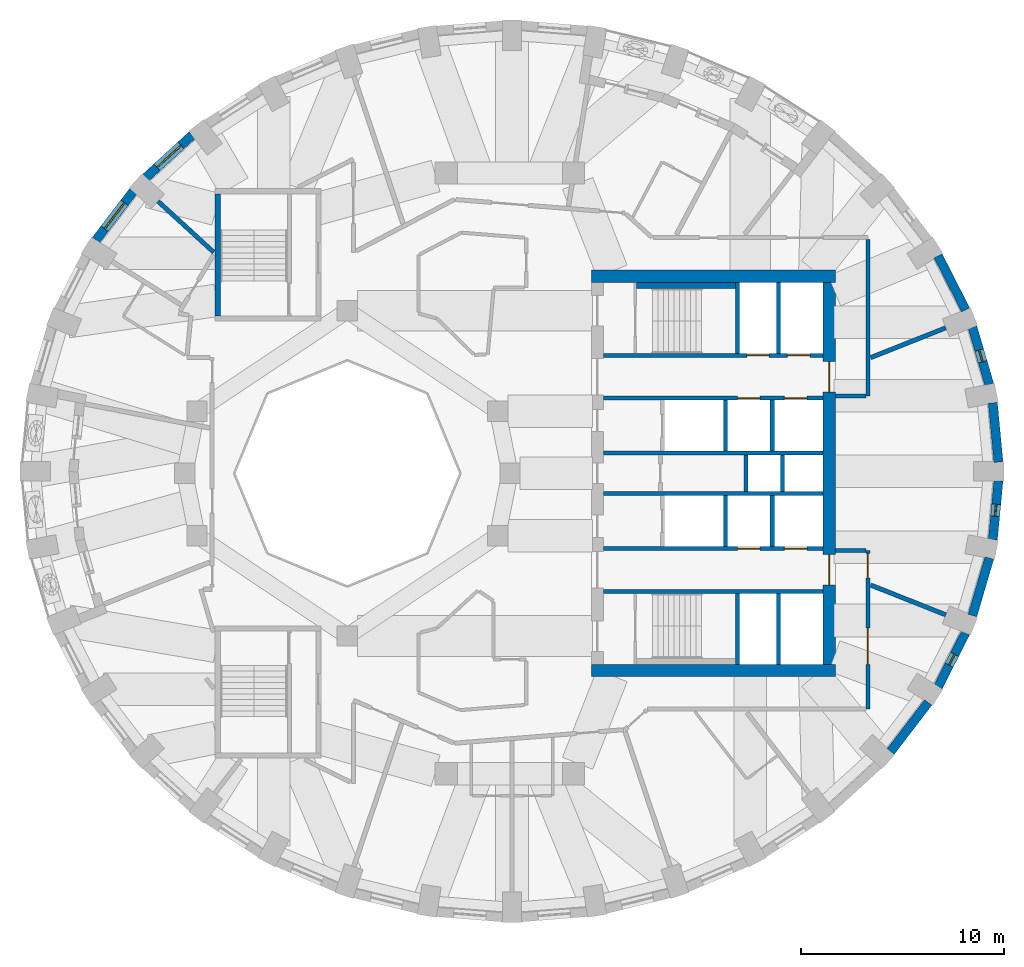
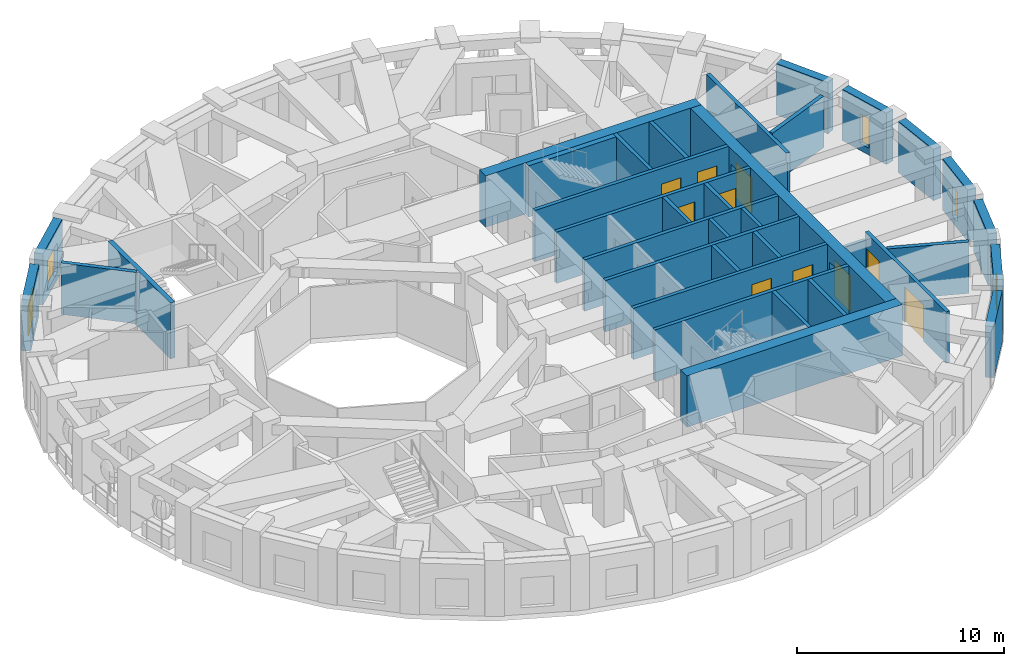
# One storey, part 6 of 12: 37 walls, 10 doors, 5 windows, 15 openings.
"""IFC4 building model written with IfcOpenShell, lengths in metres."""

from ifc_helpers import new_model, si_unit, direction, frame, frame_2d, origin, place, context, subcontext, project, spatial, rectangle, extrude, material, layer, layer_set, type_object, element, fill, save


model = new_model("IFC4")

# Units and contexts
model_context = context("Model", 3, precision=1e-05, world=origin(), true_north=direction((0.0, 1.0)))
body_context = subcontext(model_context, "Body", "Model", "MODEL_VIEW")
ifc_project = project(units=[si_unit("LENGTHUNIT", "METRE"), si_unit("AREAUNIT", "SQUARE_METRE"), si_unit("VOLUMEUNIT", "CUBIC_METRE"), si_unit("PLANEANGLEUNIT", "RADIAN"), si_unit("MASSUNIT", "GRAM", prefix="KILO")], contexts=[model_context])

# Site, building, storey
site_placement = place(None, origin())
site = spatial("IfcSite", under=ifc_project, at=site_placement, CompositionType="ELEMENT")
building_placement = place(site_placement, origin())
building = spatial("IfcBuilding", under=site, at=building_placement, Name="Taillehof Tower", CompositionType="ELEMENT")
storey_placement = place(building_placement, frame((0.0, 0.0, 148.39990234375)))
storey = spatial("IfcBuildingStorey", under=building, at=storey_placement, Name="L41", CompositionType="ELEMENT", Elevation=148.39990234375)

# Wall
ifc_material_1 = material(Name="Brick masonry", Category="masonry")
ifc_layer_1 = layer(ifc_material_1, 0.449951171875)
ifc_layer_set_1 = layer_set([ifc_layer_1], Name="Brick infill wall 450")
wall_type_1 = type_object("IfcWallType", Name="Brick infill wall 450", PredefinedType="SOLIDWALL", material=ifc_layer_set_1)
wall_1_placement = place(storey_placement, frame((24.030517578125, 0.55517578125, 0.0), z_axis=(0.0, 0.0, 1.0), x_axis=(-0.095265737322, 0.995451876935, 0.0)))
element("IfcWall", 1, at=wall_1_placement, inside=storey, type_object=wall_type_1, Name="Brick wall L41 bay 1", PredefinedType="SOLIDWALL", context=body_context, shape_type="SweptSolid", body=[
    extrude(rectangle(XDim=2.9267578125, YDim=0.449951171875, at=frame_2d((1.46337890625, 0.0))), origin(), (0.0, 0.0, 1.0), 3.02001953125),
])

# Wall, opening, window
wall_2_placement = place(storey_placement, frame((23.579833984375, 4.3623046875, 0.0), z_axis=(0.0, 0.0, 1.0), x_axis=(-0.281049481624, 0.959693278542, 0.0)))
wall_2 = element("IfcWall", 2, at=wall_2_placement, inside=storey, type_object=wall_type_1, Name="Brick wall L41 bay 2", PredefinedType="SOLIDWALL", context=body_context, shape_type="SweptSolid", body=[
    extrude(rectangle(XDim=2.947509765625, YDim=0.449951171875, at=frame_2d((1.4736328125, 0.0))), origin(), (0.0, 0.0, 1.0), 3.02001953125),
])
opening_1_placement = place(wall_2_placement, frame((1.173583984375, 0.0, 0.39990234375)))
opening_1 = element("IfcOpeningElement", 3, at=opening_1_placement, cuts=wall_2, Name="Opening W6", PredefinedType="OPENING", context=body_context, shape_type="SweptSolid", body=[
    extrude(rectangle(XDim=0.60009765625, YDim=1.75, at=frame_2d((0.300048828125, 0.875))), frame((0.0, 0.23486328125, 0.0), z_axis=(0.0, -1.0, 0.0), x_axis=(1.0, 0.0, 0.0)), (0.0, 0.0, 1.0), 0.469970703125),
])
ifc_material_2 = material(Name="Aluminium window frame with clear double glazing", Category="aluminium")
window_type_1 = type_object("IfcWindowType", Name="Slot window 600x1750", PartitioningType="SINGLE_PANEL", PredefinedType="WINDOW", material=ifc_material_2)
window_1_placement = place(opening_1_placement, origin())
window_1 = element("IfcWindow", 4, at=window_1_placement, inside=storey, type_object=window_type_1, Name="W6", OverallHeight=1.75, OverallWidth=0.60009765625, PartitioningType="SINGLE_PANEL", PredefinedType="WINDOW", context=body_context, shape_type="SweptSolid", body=[
    extrude(rectangle(XDim=0.60009765625, YDim=1.75, at=frame_2d((0.300048828125, 0.875))), frame((0.0, 0.034912109375, 0.0), z_axis=(0.0, -1.0, 0.0), x_axis=(1.0, 0.0, 0.0)), (0.0, 0.0, 1.0), 0.06005859375),
])
fill(opening_1, window_1)

# Wall
wall_3_placement = place(storey_placement, frame((22.415283203125, 8.036865234375, 0.0), z_axis=(0.0, 0.0, 1.0), x_axis=(-0.454133999889, 0.890933392653, 0.0)))
element("IfcWall", 5, at=wall_3_placement, inside=storey, type_object=wall_type_1, Name="Brick wall L41 bay 3", PredefinedType="SOLIDWALL", context=body_context, shape_type="SweptSolid", body=[
    extrude(rectangle(XDim=2.98583984375, YDim=0.449951171875, at=frame_2d((1.492919921875, 0.0))), origin(), (0.0, 0.0, 1.0), 3.02001953125),
])

# Wall, opening, window
wall_4_placement = place(storey_placement, frame((-15.630126953125, 16.638671875, 0.0), z_axis=(0.0, 0.0, 1.0), x_axis=(-0.737808755941, -0.675009807082, 0.0)))
wall_4 = element("IfcWall", 6, at=wall_4_placement, inside=storey, type_object=wall_type_1, Name="Brick wall L41 bay 14", PredefinedType="SOLIDWALL", context=body_context, shape_type="SweptSolid", body=[
    extrude(rectangle(XDim=3.094482421875, YDim=0.449951171875, at=frame_2d((1.54736328125, 0.0))), origin(), (0.0, 0.0, 1.0), 3.02001953125),
])
opening_2_placement = place(wall_4_placement, frame((0.747314453125, 0.0, 0.39990234375)))
opening_2 = element("IfcOpeningElement", 7, at=opening_2_placement, cuts=wall_4, Name="Opening W3", PredefinedType="OPENING", context=body_context, shape_type="SweptSolid", body=[
    extrude(rectangle(XDim=1.60009765625, YDim=1.75, at=frame_2d((0.800048828125, 0.875))), frame((0.0, 0.23486328125, 0.0), z_axis=(0.0, -1.0, 0.0), x_axis=(1.0, 0.0, 0.0)), (0.0, 0.0, 1.0), 0.469970703125),
])
ifc_material_3 = material(Name="Aluminium window frame with clear double glazing", Category="aluminium")
window_type_2 = type_object("IfcWindowType", Name="Deep-set window 1600x1750", PartitioningType="SINGLE_PANEL", PredefinedType="WINDOW", material=ifc_material_3)
window_2_placement = place(opening_2_placement, origin())
window_2 = element("IfcWindow", 8, at=window_2_placement, inside=storey, type_object=window_type_2, Name="W3", OverallHeight=1.75, OverallWidth=1.60009765625, PartitioningType="SINGLE_PANEL", PredefinedType="WINDOW", context=body_context, shape_type="SweptSolid", body=[
    extrude(rectangle(XDim=1.60009765625, YDim=1.75, at=frame_2d((0.800048828125, 0.875))), frame((0.0, 0.034912109375, 0.0), z_axis=(0.0, -1.0, 0.0), x_axis=(1.0, 0.0, 0.0)), (0.0, 0.0, 1.0), 0.06005859375),
])
fill(opening_2, window_2)

wall_5_placement = place(storey_placement, frame((-18.528076171875, 13.878662109375, 0.0), z_axis=(0.0, 0.0, 1.0), x_axis=(-0.607817056371, -0.794077090706, 0.0)))
wall_5 = element("IfcWall", 9, at=wall_5_placement, inside=storey, type_object=wall_type_1, Name="Brick wall L41 bay 15", PredefinedType="SOLIDWALL", context=body_context, shape_type="SweptSolid", body=[
    extrude(rectangle(XDim=3.037109375, YDim=0.449951171875, at=frame_2d((1.5185546875, 0.0))), origin(), (0.0, 0.0, 1.0), 3.02001953125),
])
opening_3_placement = place(wall_5_placement, frame((0.718505859375, 0.0, 0.39990234375)))
opening_3 = element("IfcOpeningElement", 10, at=opening_3_placement, cuts=wall_5, Name="Opening W3", PredefinedType="OPENING", context=body_context, shape_type="SweptSolid", body=[
    extrude(rectangle(XDim=1.60009765625, YDim=1.75, at=frame_2d((0.800048828125, 0.875))), frame((0.0, 0.23486328125, 0.0), z_axis=(0.0, -1.0, 0.0), x_axis=(1.0, 0.0, 0.0)), (0.0, 0.0, 1.0), 0.469970703125),
])
window_3_placement = place(opening_3_placement, origin())
window_3 = element("IfcWindow", 11, at=window_3_placement, inside=storey, type_object=window_type_2, Name="W3", OverallHeight=1.75, OverallWidth=1.60009765625, PartitioningType="SINGLE_PANEL", PredefinedType="WINDOW", context=body_context, shape_type="SweptSolid", body=[
    extrude(rectangle(XDim=1.60009765625, YDim=1.75, at=frame_2d((0.800048828125, 0.875))), frame((0.0, 0.034912109375, 0.0), z_axis=(0.0, -1.0, 0.0), x_axis=(1.0, 0.0, 0.0)), (0.0, 0.0, 1.0), 0.06005859375),
])
fill(opening_3, window_3)

# Wall
wall_6_placement = place(storey_placement, frame((18.72802734375, -13.6787109375, 0.0), z_axis=(0.0, 0.0, 1.0), x_axis=(0.607817056371, 0.794077090706, 0.0)))
element("IfcWall", 12, at=wall_6_placement, inside=storey, type_object=wall_type_1, Name="Brick wall L41 bay 33", PredefinedType="SOLIDWALL", context=body_context, shape_type="SweptSolid", body=[
    extrude(rectangle(XDim=3.037109375, YDim=0.449951171875, at=frame_2d((1.5185546875, 0.0))), origin(), (0.0, 0.0, 1.0), 3.02001953125),
])

# Wall, opening, window
wall_7_placement = place(storey_placement, frame((21.059326171875, -10.4970703125, 0.0), z_axis=(0.0, 0.0, 1.0), x_axis=(0.454133999889, 0.890933392653, 0.0)))
wall_7 = element("IfcWall", 13, at=wall_7_placement, inside=storey, type_object=wall_type_1, Name="Brick wall L41 bay 34", PredefinedType="SOLIDWALL", context=body_context, shape_type="SweptSolid", body=[
    extrude(rectangle(XDim=2.98583984375, YDim=0.449951171875, at=frame_2d((1.492919921875, 0.0))), origin(), (0.0, 0.0, 1.0), 3.02001953125),
])
opening_4_placement = place(wall_7_placement, frame((1.19287109375, 0.0, 0.39990234375)))
opening_4 = element("IfcOpeningElement", 14, at=opening_4_placement, cuts=wall_7, Name="Opening W6", PredefinedType="OPENING", context=body_context, shape_type="SweptSolid", body=[
    extrude(rectangle(XDim=0.60009765625, YDim=1.75, at=frame_2d((0.300048828125, 0.875))), frame((0.0, 0.23486328125, 0.0), z_axis=(0.0, -1.0, 0.0), x_axis=(1.0, 0.0, 0.0)), (0.0, 0.0, 1.0), 0.469970703125),
])
window_4_placement = place(opening_4_placement, origin())
window_4 = element("IfcWindow", 15, at=window_4_placement, inside=storey, type_object=window_type_1, Name="W6", OverallHeight=1.75, OverallWidth=0.60009765625, PartitioningType="SINGLE_PANEL", PredefinedType="WINDOW", context=body_context, shape_type="SweptSolid", body=[
    extrude(rectangle(XDim=0.60009765625, YDim=1.75, at=frame_2d((0.300048828125, 0.875))), frame((0.0, 0.034912109375, 0.0), z_axis=(0.0, -1.0, 0.0), x_axis=(1.0, 0.0, 0.0)), (0.0, 0.0, 1.0), 0.06005859375),
])
fill(opening_4, window_4)

# Wall
wall_8_placement = place(storey_placement, frame((22.75146484375, -6.990966796875, 0.0), z_axis=(0.0, 0.0, 1.0), x_axis=(0.281049481624, 0.959693278542, 0.0)))
element("IfcWall", 16, at=wall_8_placement, inside=storey, type_object=wall_type_1, Name="Brick wall L41 bay 35", PredefinedType="SOLIDWALL", context=body_context, shape_type="SweptSolid", body=[
    extrude(rectangle(XDim=2.947509765625, YDim=0.449951171875, at=frame_2d((1.4736328125, 0.0))), origin(), (0.0, 0.0, 1.0), 3.02001953125),
])

# Wall, opening, window
wall_9_placement = place(storey_placement, frame((23.751708984375, -3.2685546875, 0.0), z_axis=(0.0, 0.0, 1.0), x_axis=(0.095257827044, 0.995452633924, 0.0)))
wall_9 = element("IfcWall", 17, at=wall_9_placement, inside=storey, type_object=wall_type_1, Name="Brick wall L41 bay 36", PredefinedType="SOLIDWALL", context=body_context, shape_type="SweptSolid", body=[
    extrude(rectangle(XDim=2.927001953125, YDim=0.449951171875, at=frame_2d((1.46337890625, 0.0))), origin(), (0.0, 0.0, 1.0), 3.02001953125),
])
opening_5_placement = place(wall_9_placement, frame((1.163330078125, 0.0, 0.39990234375)))
opening_5 = element("IfcOpeningElement", 18, at=opening_5_placement, cuts=wall_9, Name="Opening W6", PredefinedType="OPENING", context=body_context, shape_type="SweptSolid", body=[
    extrude(rectangle(XDim=0.60009765625, YDim=1.75, at=frame_2d((0.300048828125, 0.875))), frame((0.0, 0.23486328125, 0.0), z_axis=(0.0, -1.0, 0.0), x_axis=(1.0, 0.0, 0.0)), (0.0, 0.0, 1.0), 0.469970703125),
])
window_5_placement = place(opening_5_placement, origin())
window_5 = element("IfcWindow", 19, at=window_5_placement, inside=storey, type_object=window_type_1, Name="W6", OverallHeight=1.75, OverallWidth=0.60009765625, PartitioningType="SINGLE_PANEL", PredefinedType="WINDOW", context=body_context, shape_type="SweptSolid", body=[
    extrude(rectangle(XDim=0.60009765625, YDim=1.75, at=frame_2d((0.300048828125, 0.875))), frame((0.0, 0.034912109375, 0.0), z_axis=(0.0, -1.0, 0.0), x_axis=(1.0, 0.0, 0.0)), (0.0, 0.0, 1.0), 0.06005859375),
])
fill(opening_5, window_5)

# Walls
ifc_material_4 = material(Name="Calcium silicate masonry", Category="masonry")
ifc_layer_2 = layer(ifc_material_4, 0.199951171875)
ifc_layer_set_2 = layer_set([ifc_layer_2], Name="Compartment wall calcium silicate 200")
wall_type_2 = type_object("IfcWallType", Name="Compartment wall calcium silicate 200", PredefinedType="PARTITIONING", material=ifc_layer_set_2)
for number, where, z_axis, x_axis, name in (
    (20, (11.60009765625, -0.89990234375, 0.0), (0.0, 0.0, 1.0), (0.0, 1.0, 0.0), "Compartment wall FW"),
    (21, (13.39990234375, -0.89990234375, 0.0), (0.0, 0.0, 1.0), (0.0, 1.0, 0.0), "Compartment wall FW"),
):
    element("IfcWall", number, at=place(storey_placement, frame(where, z_axis=z_axis, x_axis=x_axis)), inside=storey, type_object=wall_type_2, Name=name, PredefinedType="PARTITIONING", context=body_context, shape_type="SweptSolid", body=[
        extrude(rectangle(XDim=1.7998046875, YDim=0.199951171875, at=frame_2d((0.89990234375, 0.0))), origin(), (0.0, 0.0, 1.0), 3.02001953125),
    ])

# Wall, openings, doors
ifc_material_5 = material(Name="Gypsum board on steel studs, two layers each side", Category="steel")
ifc_layer_3 = layer(ifc_material_5, 0.199951171875)
ifc_layer_set_3 = layer_set([ifc_layer_3], Name="Compartment wall corridor 200")
wall_type_3 = type_object("IfcWallType", Name="Compartment wall corridor 200", PredefinedType="PARTITIONING", material=ifc_layer_set_3)
wall_10_placement = place(storey_placement, frame((17.60009765625, -3.800048828125, 0.0), z_axis=(0.0, 0.0, 1.0), x_axis=(0.0, -1.0, 0.0)))
wall_10 = element("IfcWall", 22, at=wall_10_placement, inside=storey, type_object=wall_type_3, Name="Compartment wall", PredefinedType="PARTITIONING", context=body_context, shape_type="SweptSolid", body=[
    extrude(rectangle(XDim=7.800048828125, YDim=0.199951171875, at=frame_2d((3.89990234375, 0.0))), origin(), (0.0, 0.0, 1.0), 3.02001953125),
])
opening_6_placement = place(wall_10_placement, frame((3.81298828125, 0.0, 0.0)))
opening_6 = element("IfcOpeningElement", 23, at=opening_6_placement, cuts=wall_10, Name="Opening D4157", PredefinedType="OPENING", context=body_context, shape_type="SweptSolid", body=[
    extrude(rectangle(XDim=1.800048828125, YDim=2.10009765625, at=frame_2d((0.89990234375, 1.050048828125))), frame((0.0, 0.10986328125, 0.0), z_axis=(0.0, -1.0, 0.0), x_axis=(1.0, 0.0, 0.0)), (0.0, 0.0, 1.0), 0.219970703125),
])
opening_7_placement = place(wall_10_placement, frame((0.139892578125, 0.0, 0.0)))
opening_7 = element("IfcOpeningElement", 24, at=opening_7_placement, cuts=wall_10, Name="Opening D4158", PredefinedType="OPENING", context=body_context, shape_type="SweptSolid", body=[
    extrude(rectangle(XDim=1.199951171875, YDim=2.10009765625, at=frame_2d((0.60009765625, 1.050048828125))), frame((0.0, 0.10986328125, 0.0), z_axis=(0.0, -1.0, 0.0), x_axis=(1.0, 0.0, 0.0)), (0.0, 0.0, 1.0), 0.219970703125),
])
ifc_material_6 = material(Name="Timber door leaf in steel frame", Category="steel")
door_type_1 = type_object("IfcDoorType", Name="Lounge and meeting room double door EI 30 1800 x 2100", OperationType="SINGLE_SWING_LEFT", PredefinedType="DOOR", material=ifc_material_6)
door_1_placement = place(opening_6_placement, origin())
door_1 = element("IfcDoor", 25, at=door_1_placement, inside=storey, type_object=door_type_1, Name="D4157", OperationType="DOUBLE_DOOR_SINGLE_SWING", OverallHeight=2.10009765625, OverallWidth=1.800048828125, PredefinedType="DOOR", context=body_context, shape_type="SweptSolid", body=[
    extrude(rectangle(XDim=1.800048828125, YDim=2.10009765625, at=frame_2d((0.89990234375, 1.050048828125))), frame((0.0, 0.02490234375, 0.0), z_axis=(0.0, -1.0, 0.0), x_axis=(1.0, 0.0, 0.0)), (0.0, 0.0, 1.0), 0.050048828125),
])
fill(opening_6, door_1)
ifc_material_7 = material(Name="Timber door leaf in steel frame", Category="steel")
door_type_2 = type_object("IfcDoorType", Name="Suite entrance door EI 30 1200 x 2100", OperationType="SINGLE_SWING_LEFT", PredefinedType="DOOR", material=ifc_material_7)
door_2_placement = place(opening_7_placement, origin())
door_2 = element("IfcDoor", 26, at=door_2_placement, inside=storey, type_object=door_type_2, Name="D4158", OperationType="SINGLE_SWING_RIGHT", OverallHeight=2.10009765625, OverallWidth=1.199951171875, PredefinedType="DOOR", context=body_context, shape_type="SweptSolid", body=[
    extrude(rectangle(XDim=1.199951171875, YDim=2.10009765625, at=frame_2d((0.60009765625, 1.050048828125))), frame((0.0, 0.02490234375, 0.0), z_axis=(0.0, -1.0, 0.0), x_axis=(1.0, 0.0, 0.0)), (0.0, 0.0, 1.0), 0.050048828125),
])
fill(opening_7, door_2)

# Walls
wall_11_placement = place(storey_placement, frame((17.60009765625, 11.5, 0.0), z_axis=(0.0, 0.0, 1.0), x_axis=(0.0, -1.0, 0.0)))
element("IfcWall", 27, at=wall_11_placement, inside=storey, type_object=wall_type_3, Name="Compartment wall", PredefinedType="PARTITIONING", context=body_context, shape_type="SweptSolid", body=[
    extrude(rectangle(XDim=7.699951171875, YDim=0.199951171875, at=frame_2d((3.85009765625, 0.0))), origin(), (0.0, 0.0, 1.0), 3.02001953125),
])
for number, where, z_axis, x_axis, name in (
    (28, (17.5, 3.800048828125, 0.0), (0.0, 0.0, 1.0), (-1.0, 0.0, 0.0), "Compartment wall"),
    (29, (16.00390625, -3.800048828125, 0.0), (0.0, 0.0, 1.0), (1.0, 0.0, 0.0), "Compartment wall"),
):
    element("IfcWall", number, at=place(storey_placement, frame(where, z_axis=z_axis, x_axis=x_axis)), inside=storey, type_object=wall_type_3, Name=name, PredefinedType="PARTITIONING", context=body_context, shape_type="SweptSolid", body=[
        extrude(rectangle(XDim=1.49609375, YDim=0.199951171875, at=frame_2d((0.748046875, 0.0))), origin(), (0.0, 0.0, 1.0), 2.570068359375),
    ])
ifc_material_8 = material(Name="Gypsum board on double steel studs with mineral wool", Category="steel")
ifc_layer_4 = layer(ifc_material_8, 0.219970703125)
ifc_layer_set_4 = layer_set([ifc_layer_4], Name="Compartment wall guest room 220")
wall_type_4 = type_object("IfcWallType", Name="Compartment wall guest room 220", PredefinedType="PARTITIONING", material=ifc_layer_set_4)
wall_12_placement = place(storey_placement, frame((21.438720703125, 7.15966796875, 0.0), z_axis=(0.0, 0.0, 1.0), x_axis=(-0.929517399972, -0.368778257426, 0.0)))
element("IfcWall", 30, at=wall_12_placement, inside=storey, type_object=wall_type_4, Name="Compartment wall", PredefinedType="PARTITIONING", context=body_context, shape_type="SweptSolid", body=[
    extrude(rectangle(XDim=3.982177734375, YDim=0.219970703125, at=frame_2d((1.9912109375, 0.0))), origin(), (0.0, 0.0, 1.0), 3.02001953125),
])
wall_13_placement = place(storey_placement, frame((-17.310302734375, 13.381591796875, 0.0), z_axis=(0.0, 0.0, 1.0), x_axis=(0.737860436015, -0.674953314655, 0.0)))
element("IfcWall", 31, at=wall_13_placement, inside=storey, type_object=wall_type_4, Name="Compartment wall", PredefinedType="PARTITIONING", context=body_context, shape_type="SweptSolid", body=[
    extrude(rectangle(XDim=3.714111328125, YDim=0.219970703125, at=frame_2d((1.85693359375, 0.0))), origin(), (0.0, 0.0, 1.0), 3.02001953125),
])
wall_14_placement = place(storey_placement, frame((21.438720703125, -6.959716796875, 0.0), z_axis=(0.0, 0.0, 1.0), x_axis=(-0.929517399972, 0.368778257426, 0.0)))
element("IfcWall", 32, at=wall_14_placement, inside=storey, type_object=wall_type_4, Name="Compartment wall", PredefinedType="PARTITIONING", context=body_context, shape_type="SweptSolid", body=[
    extrude(rectangle(XDim=3.982177734375, YDim=0.219970703125, at=frame_2d((1.9912109375, 0.0))), origin(), (0.0, 0.0, 1.0), 3.02001953125),
])
ifc_material_9 = material(Name="Calcium silicate masonry", Category="masonry")
ifc_layer_5 = layer(ifc_material_9, 0.300048828125)
ifc_layer_set_5 = layer_set([ifc_layer_5], Name="Compartment wall lining calcium silicate 300")
wall_type_5 = type_object("IfcWallType", Name="Compartment wall lining calcium silicate 300", PredefinedType="PARTITIONING", material=ifc_layer_set_5)
wall_15_placement = place(storey_placement, frame((6.219970703125, 9.25, 0.0), z_axis=(0.0, 0.0, 1.0), x_axis=(1.0, 0.0, 0.0)))
element("IfcWall", 33, at=wall_15_placement, inside=storey, type_object=wall_type_5, Name="Compartment wall FW", PredefinedType="PARTITIONING", context=body_context, shape_type="SweptSolid", body=[
    extrude(rectangle(XDim=4.880126953125, YDim=0.300048828125, at=frame_2d((2.43994140625, 0.0))), origin(), (0.0, 0.0, 1.0), 3.02001953125),
])

# Wall, openings, doors
ifc_material_10 = material(Name="Concrete C80/95", Category="concrete")
ifc_layer_6 = layer(ifc_material_10, 0.60009765625)
ifc_layer_set_6 = layer_set([ifc_layer_6], Name="Core wall C80/95 600")
wall_type_6 = type_object("IfcWallType", Name="Core wall C80/95 600", PredefinedType="SHEAR", material=ifc_layer_set_6)
wall_16_placement = place(storey_placement, frame((15.699951171875, -9.39990234375, 0.0), z_axis=(0.0, 0.0, 1.0), x_axis=(0.0, 1.0, 0.0)))
wall_16 = element("IfcWall", 34, at=wall_16_placement, inside=storey, type_object=wall_type_6, Name="Core wall CW05", PredefinedType="SHEAR", context=body_context, shape_type="SweptSolid", body=[
    extrude(rectangle(XDim=18.7998046875, YDim=0.60009765625, at=frame_2d((9.39990234375, 0.0))), origin(), (0.0, 0.0, 1.0), 3.02001953125),
])
opening_8_placement = place(wall_16_placement, frame((13.39990234375, 0.0, 0.0)))
opening_8 = element("IfcOpeningElement", 35, at=opening_8_placement, cuts=wall_16, Name="Opening D4108", PredefinedType="OPENING", context=body_context, shape_type="SweptSolid", body=[
    extrude(rectangle(XDim=1.5, YDim=2.10009765625, at=frame_2d((0.75, 1.050048828125))), frame((0.0, 0.31005859375, 0.0), z_axis=(0.0, -1.0, 0.0), x_axis=(1.0, 0.0, 0.0)), (0.0, 0.0, 1.0), 0.6201171875),
])
opening_9_placement = place(wall_16_placement, frame((3.89990234375, 0.0, 0.0)))
opening_9 = element("IfcOpeningElement", 36, at=opening_9_placement, cuts=wall_16, Name="Opening D4109", PredefinedType="OPENING", context=body_context, shape_type="SweptSolid", body=[
    extrude(rectangle(XDim=1.5, YDim=2.10009765625, at=frame_2d((0.75, 1.050048828125))), frame((0.0, 0.31005859375, 0.0), z_axis=(0.0, -1.0, 0.0), x_axis=(1.0, 0.0, 0.0)), (0.0, 0.0, 1.0), 0.6201171875),
])
ifc_material_11 = material(Name="Steel-faced fire door", Category="steel")
door_type_3 = type_object("IfcDoorType", Name="Lift lobby east door 1500x2100", OperationType="DOUBLE_DOOR_SINGLE_SWING", PredefinedType="DOOR", material=ifc_material_11)
door_3_placement = place(opening_8_placement, origin())
door_3 = element("IfcDoor", 37, at=door_3_placement, inside=storey, type_object=door_type_3, Name="Lift lobby east door north", OperationType="DOUBLE_DOOR_SINGLE_SWING", OverallHeight=2.10009765625, OverallWidth=1.5, PredefinedType="DOOR", context=body_context, shape_type="SweptSolid", body=[
    extrude(rectangle(XDim=1.5, YDim=2.10009765625, at=frame_2d((0.75, 1.050048828125))), frame((0.0, 0.02490234375, 0.0), z_axis=(0.0, -1.0, 0.0), x_axis=(1.0, 0.0, 0.0)), (0.0, 0.0, 1.0), 0.050048828125),
])
fill(opening_8, door_3)
door_4_placement = place(opening_9_placement, origin())
door_4 = element("IfcDoor", 38, at=door_4_placement, inside=storey, type_object=door_type_3, Name="Lift lobby east door south", OperationType="DOUBLE_DOOR_SINGLE_SWING", OverallHeight=2.10009765625, OverallWidth=1.5, PredefinedType="DOOR", context=body_context, shape_type="SweptSolid", body=[
    extrude(rectangle(XDim=1.5, YDim=2.10009765625, at=frame_2d((0.75, 1.050048828125))), frame((0.0, 0.02490234375, 0.0), z_axis=(0.0, -1.0, 0.0), x_axis=(1.0, 0.0, 0.0)), (0.0, 0.0, 1.0), 0.050048828125),
])
fill(opening_9, door_4)

# Walls
for number, where, z_axis, x_axis, name in (
    (39, (4.0, 9.699951171875, 0.0), (0.0, 0.0, 1.0), (1.0, 0.0, 0.0), "Core wall CW06"),
    (40, (4.0, -9.699951171875, 0.0), (0.0, 0.0, 1.0), (1.0, 0.0, 0.0), "Core wall CW07"),
):
    element("IfcWall", number, at=place(storey_placement, frame(where, z_axis=z_axis, x_axis=x_axis)), inside=storey, type_object=wall_type_6, Name=name, PredefinedType="SHEAR", context=body_context, shape_type="SweptSolid", body=[
        extrude(rectangle(XDim=12.0, YDim=0.60009765625, at=frame_2d((6.0, 0.0))), origin(), (0.0, 0.0, 1.0), 3.02001953125),
    ])

# Wall, openings, doors
ifc_material_12 = material(Name="Concrete C50/60", Category="concrete")
ifc_layer_7 = layer(ifc_material_12, 0.199951171875)
ifc_layer_set_7 = layer_set([ifc_layer_7], Name="Shaft wall C50/60 200")
wall_type_7 = type_object("IfcWallType", Name="Shaft wall C50/60 200", PredefinedType="SHEAR", material=ifc_layer_set_7)
wall_17_placement = place(storey_placement, frame((4.60009765625, 5.800048828125, 0.0), z_axis=(0.0, 0.0, 1.0), x_axis=(1.0, 0.0, 0.0)))
wall_17 = element("IfcWall", 41, at=wall_17_placement, inside=storey, type_object=wall_type_7, Name="Shaft wall SW", PredefinedType="SHEAR", context=body_context, shape_type="SweptSolid", body=[
    extrude(rectangle(XDim=10.7998046875, YDim=0.199951171875, at=frame_2d((5.39990234375, 0.0))), origin(), (0.0, 0.0, 1.0), 3.02001953125),
])
opening_10_placement = place(wall_17_placement, frame((7.050048828125, 0.0, 0.0)))
opening_10 = element("IfcOpeningElement", 42, at=opening_10_placement, cuts=wall_17, Name="Opening LD1", PredefinedType="OPENING", context=body_context, shape_type="SweptSolid", body=[
    extrude(rectangle(XDim=1.10009765625, YDim=2.10009765625, at=frame_2d((0.550048828125, 1.050048828125))), frame((0.0, 0.10986328125, 0.0), z_axis=(0.0, -1.0, 0.0), x_axis=(1.0, 0.0, 0.0)), (0.0, 0.0, 1.0), 0.219970703125),
])
opening_11_placement = place(wall_17_placement, frame((9.050048828125, 0.0, 0.0)))
opening_11 = element("IfcOpeningElement", 43, at=opening_11_placement, cuts=wall_17, Name="Opening LD1", PredefinedType="OPENING", context=body_context, shape_type="SweptSolid", body=[
    extrude(rectangle(XDim=1.10009765625, YDim=2.10009765625, at=frame_2d((0.550048828125, 1.050048828125))), frame((0.0, 0.10986328125, 0.0), z_axis=(0.0, -1.0, 0.0), x_axis=(1.0, 0.0, 0.0)), (0.0, 0.0, 1.0), 0.219970703125),
])
ifc_material_13 = material(Name="Stainless steel", Category="steel")
door_type_4 = type_object("IfcDoorType", Name="Lift landing door LD1 1100x2100", OperationType="DOUBLE_DOOR_SLIDING", PredefinedType="DOOR", material=ifc_material_13)
door_5_placement = place(opening_10_placement, origin())
door_5 = element("IfcDoor", 44, at=door_5_placement, inside=storey, type_object=door_type_4, Name="Landing door HR1", OperationType="DOUBLE_DOOR_SLIDING", OverallHeight=2.10009765625, OverallWidth=1.10009765625, PredefinedType="DOOR", context=body_context, shape_type="SweptSolid", body=[
    extrude(rectangle(XDim=1.10009765625, YDim=2.10009765625, at=frame_2d((0.550048828125, 1.050048828125))), frame((0.0, 0.02490234375, 0.0), z_axis=(0.0, -1.0, 0.0), x_axis=(1.0, 0.0, 0.0)), (0.0, 0.0, 1.0), 0.050048828125),
])
fill(opening_10, door_5)
door_6_placement = place(opening_11_placement, origin())
door_6 = element("IfcDoor", 45, at=door_6_placement, inside=storey, type_object=door_type_4, Name="Landing door HR2", OperationType="DOUBLE_DOOR_SLIDING", OverallHeight=2.10009765625, OverallWidth=1.10009765625, PredefinedType="DOOR", context=body_context, shape_type="SweptSolid", body=[
    extrude(rectangle(XDim=1.10009765625, YDim=2.10009765625, at=frame_2d((0.550048828125, 1.050048828125))), frame((0.0, 0.02490234375, 0.0), z_axis=(0.0, -1.0, 0.0), x_axis=(1.0, 0.0, 0.0)), (0.0, 0.0, 1.0), 0.050048828125),
])
fill(opening_11, door_6)

wall_18_placement = place(storey_placement, frame((4.60009765625, 3.699951171875, 0.0), z_axis=(0.0, 0.0, 1.0), x_axis=(1.0, 0.0, 0.0)))
wall_18 = element("IfcWall", 46, at=wall_18_placement, inside=storey, type_object=wall_type_7, Name="Shaft wall SW", PredefinedType="SHEAR", context=body_context, shape_type="SweptSolid", body=[
    extrude(rectangle(XDim=10.7998046875, YDim=0.199951171875, at=frame_2d((5.39990234375, 0.0))), origin(), (0.0, 0.0, 1.0), 3.02001953125),
])
opening_12_placement = place(wall_18_placement, frame((6.60009765625, 0.0, 0.0)))
opening_12 = element("IfcOpeningElement", 47, at=opening_12_placement, cuts=wall_18, Name="Opening LD1", PredefinedType="OPENING", context=body_context, shape_type="SweptSolid", body=[
    extrude(rectangle(XDim=1.10009765625, YDim=2.10009765625, at=frame_2d((0.550048828125, 1.050048828125))), frame((0.0, 0.10986328125, 0.0), z_axis=(0.0, -1.0, 0.0), x_axis=(1.0, 0.0, 0.0)), (0.0, 0.0, 1.0), 0.219970703125),
])
opening_13_placement = place(wall_18_placement, frame((8.89990234375, 0.0, 0.0)))
opening_13 = element("IfcOpeningElement", 48, at=opening_13_placement, cuts=wall_18, Name="Opening LD1", PredefinedType="OPENING", context=body_context, shape_type="SweptSolid", body=[
    extrude(rectangle(XDim=1.10009765625, YDim=2.10009765625, at=frame_2d((0.550048828125, 1.050048828125))), frame((0.0, 0.10986328125, 0.0), z_axis=(0.0, -1.0, 0.0), x_axis=(1.0, 0.0, 0.0)), (0.0, 0.0, 1.0), 0.219970703125),
])
door_7_placement = place(opening_12_placement, origin())
door_7 = element("IfcDoor", 49, at=door_7_placement, inside=storey, type_object=door_type_4, Name="Landing door HR3", OperationType="DOUBLE_DOOR_SLIDING", OverallHeight=2.10009765625, OverallWidth=1.10009765625, PredefinedType="DOOR", context=body_context, shape_type="SweptSolid", body=[
    extrude(rectangle(XDim=1.10009765625, YDim=2.10009765625, at=frame_2d((0.550048828125, 1.050048828125))), frame((0.0, 0.02490234375, 0.0), z_axis=(0.0, -1.0, 0.0), x_axis=(1.0, 0.0, 0.0)), (0.0, 0.0, 1.0), 0.050048828125),
])
fill(opening_12, door_7)
door_8_placement = place(opening_13_placement, origin())
door_8 = element("IfcDoor", 50, at=door_8_placement, inside=storey, type_object=door_type_4, Name="Landing door HR4", OperationType="DOUBLE_DOOR_SLIDING", OverallHeight=2.10009765625, OverallWidth=1.10009765625, PredefinedType="DOOR", context=body_context, shape_type="SweptSolid", body=[
    extrude(rectangle(XDim=1.10009765625, YDim=2.10009765625, at=frame_2d((0.550048828125, 1.050048828125))), frame((0.0, 0.02490234375, 0.0), z_axis=(0.0, -1.0, 0.0), x_axis=(1.0, 0.0, 0.0)), (0.0, 0.0, 1.0), 0.050048828125),
])
fill(opening_13, door_8)

# Walls
for number, where, z_axis, x_axis, name in (
    (51, (4.60009765625, 1.0, 0.0), (0.0, 0.0, 1.0), (1.0, 0.0, 0.0), "Shaft wall SW"),
    (52, (4.60009765625, -1.0, 0.0), (0.0, 0.0, 1.0), (1.0, 0.0, 0.0), "Shaft wall SW"),
):
    element("IfcWall", number, at=place(storey_placement, frame(where, z_axis=z_axis, x_axis=x_axis)), inside=storey, type_object=wall_type_7, Name=name, PredefinedType="SHEAR", context=body_context, shape_type="SweptSolid", body=[
        extrude(rectangle(XDim=10.7998046875, YDim=0.199951171875, at=frame_2d((5.39990234375, 0.0))), origin(), (0.0, 0.0, 1.0), 3.02001953125),
    ])

# Wall, openings, doors
wall_19_placement = place(storey_placement, frame((4.60009765625, -3.699951171875, 0.0), z_axis=(0.0, 0.0, 1.0), x_axis=(1.0, 0.0, 0.0)))
wall_19 = element("IfcWall", 53, at=wall_19_placement, inside=storey, type_object=wall_type_7, Name="Shaft wall SW", PredefinedType="SHEAR", context=body_context, shape_type="SweptSolid", body=[
    extrude(rectangle(XDim=10.7998046875, YDim=0.199951171875, at=frame_2d((5.39990234375, 0.0))), origin(), (0.0, 0.0, 1.0), 3.02001953125),
])
opening_14_placement = place(wall_19_placement, frame((6.60009765625, 0.0, 0.0)))
opening_14 = element("IfcOpeningElement", 54, at=opening_14_placement, cuts=wall_19, Name="Opening LD1", PredefinedType="OPENING", context=body_context, shape_type="SweptSolid", body=[
    extrude(rectangle(XDim=1.10009765625, YDim=2.10009765625, at=frame_2d((0.550048828125, 1.050048828125))), frame((0.0, 0.10986328125, 0.0), z_axis=(0.0, -1.0, 0.0), x_axis=(1.0, 0.0, 0.0)), (0.0, 0.0, 1.0), 0.219970703125),
])
opening_15_placement = place(wall_19_placement, frame((8.89990234375, 0.0, 0.0)))
opening_15 = element("IfcOpeningElement", 55, at=opening_15_placement, cuts=wall_19, Name="Opening LD1", PredefinedType="OPENING", context=body_context, shape_type="SweptSolid", body=[
    extrude(rectangle(XDim=1.10009765625, YDim=2.10009765625, at=frame_2d((0.550048828125, 1.050048828125))), frame((0.0, 0.10986328125, 0.0), z_axis=(0.0, -1.0, 0.0), x_axis=(1.0, 0.0, 0.0)), (0.0, 0.0, 1.0), 0.219970703125),
])
door_9_placement = place(opening_14_placement, origin())
door_9 = element("IfcDoor", 56, at=door_9_placement, inside=storey, type_object=door_type_4, Name="Landing door HR5", OperationType="DOUBLE_DOOR_SLIDING", OverallHeight=2.10009765625, OverallWidth=1.10009765625, PredefinedType="DOOR", context=body_context, shape_type="SweptSolid", body=[
    extrude(rectangle(XDim=1.10009765625, YDim=2.10009765625, at=frame_2d((0.550048828125, 1.050048828125))), frame((0.0, 0.02490234375, 0.0), z_axis=(0.0, -1.0, 0.0), x_axis=(1.0, 0.0, 0.0)), (0.0, 0.0, 1.0), 0.050048828125),
])
fill(opening_14, door_9)
door_10_placement = place(opening_15_placement, origin())
door_10 = element("IfcDoor", 57, at=door_10_placement, inside=storey, type_object=door_type_4, Name="Landing door HR6", OperationType="DOUBLE_DOOR_SLIDING", OverallHeight=2.10009765625, OverallWidth=1.10009765625, PredefinedType="DOOR", context=body_context, shape_type="SweptSolid", body=[
    extrude(rectangle(XDim=1.10009765625, YDim=2.10009765625, at=frame_2d((0.550048828125, 1.050048828125))), frame((0.0, 0.02490234375, 0.0), z_axis=(0.0, -1.0, 0.0), x_axis=(1.0, 0.0, 0.0)), (0.0, 0.0, 1.0), 0.050048828125),
])
fill(opening_15, door_10)

# Walls
wall_20_placement = place(storey_placement, frame((4.60009765625, -5.800048828125, 0.0), z_axis=(0.0, 0.0, 1.0), x_axis=(1.0, 0.0, 0.0)))
element("IfcWall", 58, at=wall_20_placement, inside=storey, type_object=wall_type_7, Name="Shaft wall SW", PredefinedType="SHEAR", context=body_context, shape_type="SweptSolid", body=[
    extrude(rectangle(XDim=10.7998046875, YDim=0.199951171875, at=frame_2d((5.39990234375, 0.0))), origin(), (0.0, 0.0, 1.0), 3.02001953125),
])
for number, where, z_axis, x_axis, name in (
    (59, (11.199951171875, 5.89990234375, 0.0), (0.0, 0.0, 1.0), (0.0, 1.0, 0.0), "Shaft wall SW"),
    (60, (11.199951171875, -9.39990234375, 0.0), (0.0, 0.0, 1.0), (0.0, 1.0, 0.0), "Shaft wall SW"),
    (61, (13.199951171875, 5.89990234375, 0.0), (0.0, 0.0, 1.0), (0.0, 1.0, 0.0), "Shaft wall SW"),
    (62, (13.199951171875, -9.39990234375, 0.0), (0.0, 0.0, 1.0), (0.0, 1.0, 0.0), "Shaft wall SW"),
):
    element("IfcWall", number, at=place(storey_placement, frame(where, z_axis=z_axis, x_axis=x_axis)), inside=storey, type_object=wall_type_7, Name=name, PredefinedType="SHEAR", context=body_context, shape_type="SweptSolid", body=[
        extrude(rectangle(XDim=3.5, YDim=0.199951171875, at=frame_2d((1.75, 0.0))), origin(), (0.0, 0.0, 1.0), 3.02001953125),
    ])
for number, where, z_axis, x_axis, name in (
    (63, (10.60009765625, 1.10009765625, 0.0), (0.0, 0.0, 1.0), (0.0, 1.0, 0.0), "Shaft wall SW"),
    (64, (10.60009765625, -3.60009765625, 0.0), (0.0, 0.0, 1.0), (0.0, 1.0, 0.0), "Shaft wall SW"),
    (65, (12.89990234375, 1.10009765625, 0.0), (0.0, 0.0, 1.0), (0.0, 1.0, 0.0), "Shaft wall SW"),
    (66, (12.89990234375, -3.60009765625, 0.0), (0.0, 0.0, 1.0), (0.0, 1.0, 0.0), "Shaft wall SW"),
):
    element("IfcWall", number, at=place(storey_placement, frame(where, z_axis=z_axis, x_axis=x_axis)), inside=storey, type_object=wall_type_7, Name=name, PredefinedType="SHEAR", context=body_context, shape_type="SweptSolid", body=[
        extrude(rectangle(XDim=2.5, YDim=0.199951171875, at=frame_2d((1.25, 0.0))), origin(), (0.0, 0.0, 1.0), 3.02001953125),
    ])
ifc_material_14 = material(Name="Concrete C50/60", Category="concrete")
ifc_layer_8 = layer(ifc_material_14, 0.25)
ifc_layer_set_8 = layer_set([ifc_layer_8], Name="Stair wall C50/60 250")
wall_type_8 = type_object("IfcWallType", Name="Stair wall C50/60 250", PredefinedType="SHEAR", material=ifc_layer_set_8)
wall_21_placement = place(storey_placement, frame((-14.375, 7.75, -0.27978515625), z_axis=(0.0, 0.0, 1.0), x_axis=(0.0, 1.0, 0.0)))
element("IfcWall", 67, at=wall_21_placement, inside=storey, type_object=wall_type_8, Name="Stair wall SC", PredefinedType="SHEAR", context=body_context, shape_type="SweptSolid", body=[
    extrude(rectangle(XDim=6.0, YDim=0.25, at=frame_2d((3.0, 0.0))), origin(), (0.0, 0.0, 1.0), 3.2998046875),
])

save(model, "model.ifc")
